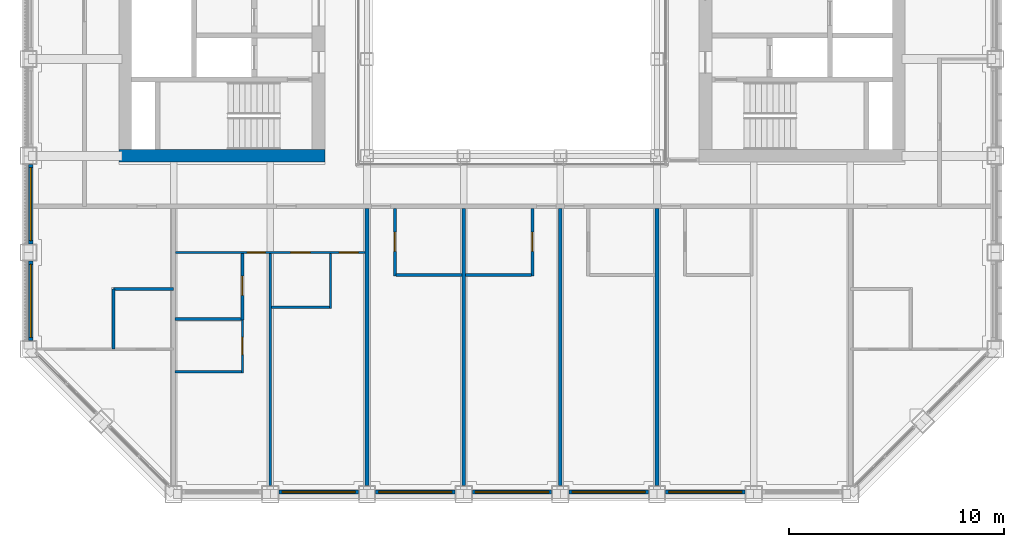
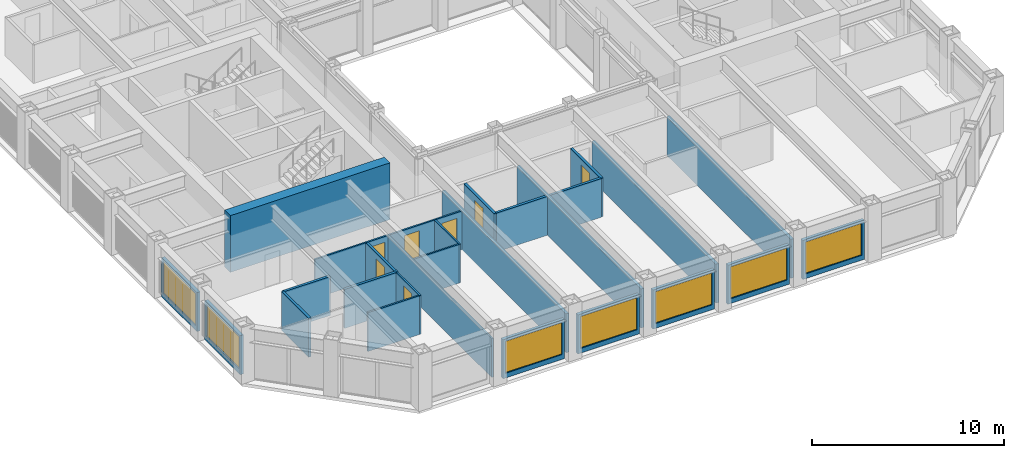
# One storey, part 10 of 18: 26 walls, 7 doors, 7 windows, 14 openings.
"""IFC4 building model written with IfcOpenShell, lengths in metres."""

from ifc_helpers import new_model, si_unit, direction, frame, frame_2d, origin, place, context, subcontext, project, spatial, rectangle, extrude, material, layer, layer_set, type_object, element, fill, save


model = new_model("IFC4")

# Units and contexts
model_context = context("Model", 3, precision=1e-05, world=origin(), true_north=direction((0.0, 1.0)))
body_context = subcontext(model_context, "Body", "Model", "MODEL_VIEW")
ifc_project = project(units=[si_unit("LENGTHUNIT", "METRE"), si_unit("AREAUNIT", "SQUARE_METRE"), si_unit("VOLUMEUNIT", "CUBIC_METRE"), si_unit("PLANEANGLEUNIT", "RADIAN"), si_unit("MASSUNIT", "GRAM", prefix="KILO")], contexts=[model_context])

# Site, building, storey
site_placement = place(None, origin())
site = spatial("IfcSite", under=ifc_project, at=site_placement, CompositionType="ELEMENT")
building_placement = place(site_placement, origin())
building = spatial("IfcBuilding", under=site, at=building_placement, Name="Msasa Ring Tower", CompositionType="ELEMENT")
storey_placement = place(building_placement, frame((0.0, 0.0, 183.199951171875)))
storey = spatial("IfcBuildingStorey", under=building, at=storey_placement, Name="L48", CompositionType="ELEMENT", Elevation=183.199951171875)

# Wall
ifc_material_1 = material(Name="Concrete C60/75", Category="concrete")
ifc_layer_1 = layer(ifc_material_1, 0.60009765625)
ifc_layer_set_1 = layer_set([ifc_layer_1], Name="CW2 CORE WALL 600")
wall_type_1 = type_object("IfcWallType", Name="CW2 CORE WALL 600", PredefinedType="SHEAR", material=ifc_layer_set_1)
wall_1_placement = place(storey_placement, frame((-8.699951171875, -6.75, 0.0), z_axis=(0.0, 0.0, 1.0), x_axis=(-1.0, 0.0, 0.0)))
element("IfcWall", 1, at=wall_1_placement, inside=storey, type_object=wall_type_1, Name="W core wall S L48", PredefinedType="SHEAR", context=body_context, shape_type="SweptSolid", body=[
    extrude(rectangle(XDim=9.60009765625, YDim=0.60009765625, at=frame_2d((4.800048828125, 0.0))), origin(), (0.0, 0.0, 1.0), 3.60009765625),
])

# Wall, opening, window
ifc_material_2 = material(Name="Terracotta rainscreen on blockwork", Category="masonry")
ifc_layer_2 = layer(ifc_material_2, 0.199951171875)
ifc_layer_set_2 = layer_set([ifc_layer_2], Name="FW1 TERRACOTTA-LINED INFILL BAY WALL 200")
wall_type_2 = type_object("IfcWallType", Name="FW1 TERRACOTTA-LINED INFILL BAY WALL 200", PredefinedType="SOLIDWALL", material=ifc_layer_set_2)
wall_2_placement = place(storey_placement, frame((-10.844970703125, -22.39990234375, 0.0), z_axis=(0.0, 0.0, 1.0), x_axis=(1.0, 0.0, 0.0)))
wall_2 = element("IfcWall", 2, at=wall_2_placement, inside=storey, type_object=wall_type_2, Name="Infill bay wall S L48 01", PredefinedType="SOLIDWALL", context=body_context, shape_type="SweptSolid", body=[
    extrude(rectangle(XDim=3.68994140625, YDim=0.199951171875, at=frame_2d((1.844970703125, 0.0))), origin(), (0.0, 0.0, 1.0), 2.47900390625),
])
opening_1_placement = place(wall_2_placement, frame((0.14501953125, 0.0, 0.300048828125)))
opening_1 = element("IfcOpeningElement", 3, at=opening_1_placement, cuts=wall_2, Name="Opening WN2", PredefinedType="OPENING", context=body_context, shape_type="SweptSolid", body=[
    extrude(rectangle(XDim=3.39990234375, YDim=2.029052734375, at=frame_2d((1.699951171875, 1.0146484375))), frame((0.0, 0.10986328125, 0.0), z_axis=(0.0, -1.0, 0.0), x_axis=(1.0, 0.0, 0.0)), (0.0, 0.0, 1.0), 0.219970703125),
])
ifc_material_3 = material(Name="Aluminium frame with clear glass", Category="aluminium")
window_type = type_object("IfcWindowType", Name="WN2 GUEST ROOM WINDOW 3400x2029", PartitioningType="SINGLE_PANEL", PredefinedType="WINDOW", material=ifc_material_3)
window_1_placement = place(opening_1_placement, origin())
window_1 = element("IfcWindow", 4, at=window_1_placement, inside=storey, type_object=window_type, Name="Window S L48 01", OverallHeight=2.029052734375, OverallWidth=3.39990234375, PartitioningType="SINGLE_PANEL", PredefinedType="WINDOW", context=body_context, shape_type="SweptSolid", body=[
    extrude(rectangle(XDim=3.39990234375, YDim=2.029052734375, at=frame_2d((1.699951171875, 1.0146484375))), frame((0.0, 0.030029296875, 0.0), z_axis=(0.0, -1.0, 0.0), x_axis=(1.0, 0.0, 0.0)), (0.0, 0.0, 1.0), 0.06005859375),
])
fill(opening_1, window_1)

wall_3_placement = place(storey_placement, frame((-6.344970703125, -22.39990234375, 0.0), z_axis=(0.0, 0.0, 1.0), x_axis=(1.0, 0.0, 0.0)))
wall_3 = element("IfcWall", 5, at=wall_3_placement, inside=storey, type_object=wall_type_2, Name="Infill bay wall S L48 02", PredefinedType="SOLIDWALL", context=body_context, shape_type="SweptSolid", body=[
    extrude(rectangle(XDim=3.68994140625, YDim=0.199951171875, at=frame_2d((1.844970703125, 0.0))), origin(), (0.0, 0.0, 1.0), 2.47900390625),
])
opening_2_placement = place(wall_3_placement, frame((0.14501953125, 0.0, 0.300048828125)))
opening_2 = element("IfcOpeningElement", 6, at=opening_2_placement, cuts=wall_3, Name="Opening WN2", PredefinedType="OPENING", context=body_context, shape_type="SweptSolid", body=[
    extrude(rectangle(XDim=3.39990234375, YDim=2.029052734375, at=frame_2d((1.699951171875, 1.0146484375))), frame((0.0, 0.10986328125, 0.0), z_axis=(0.0, -1.0, 0.0), x_axis=(1.0, 0.0, 0.0)), (0.0, 0.0, 1.0), 0.219970703125),
])
window_2_placement = place(opening_2_placement, origin())
window_2 = element("IfcWindow", 7, at=window_2_placement, inside=storey, type_object=window_type, Name="Window S L48 02", OverallHeight=2.029052734375, OverallWidth=3.39990234375, PartitioningType="SINGLE_PANEL", PredefinedType="WINDOW", context=body_context, shape_type="SweptSolid", body=[
    extrude(rectangle(XDim=3.39990234375, YDim=2.029052734375, at=frame_2d((1.699951171875, 1.0146484375))), frame((0.0, 0.030029296875, 0.0), z_axis=(0.0, -1.0, 0.0), x_axis=(1.0, 0.0, 0.0)), (0.0, 0.0, 1.0), 0.06005859375),
])
fill(opening_2, window_2)

wall_4_placement = place(storey_placement, frame((-1.844970703125, -22.39990234375, 0.0), z_axis=(0.0, 0.0, 1.0), x_axis=(1.0, 0.0, 0.0)))
wall_4 = element("IfcWall", 8, at=wall_4_placement, inside=storey, type_object=wall_type_2, Name="Infill bay wall S L48 03", PredefinedType="SOLIDWALL", context=body_context, shape_type="SweptSolid", body=[
    extrude(rectangle(XDim=3.68994140625, YDim=0.199951171875, at=frame_2d((1.844970703125, 0.0))), origin(), (0.0, 0.0, 1.0), 2.47900390625),
])
opening_3_placement = place(wall_4_placement, frame((0.14501953125, 0.0, 0.300048828125)))
opening_3 = element("IfcOpeningElement", 9, at=opening_3_placement, cuts=wall_4, Name="Opening WN2", PredefinedType="OPENING", context=body_context, shape_type="SweptSolid", body=[
    extrude(rectangle(XDim=3.39990234375, YDim=2.029052734375, at=frame_2d((1.699951171875, 1.0146484375))), frame((0.0, 0.10986328125, 0.0), z_axis=(0.0, -1.0, 0.0), x_axis=(1.0, 0.0, 0.0)), (0.0, 0.0, 1.0), 0.219970703125),
])
window_3_placement = place(opening_3_placement, origin())
window_3 = element("IfcWindow", 10, at=window_3_placement, inside=storey, type_object=window_type, Name="Window S L48 03", OverallHeight=2.029052734375, OverallWidth=3.39990234375, PartitioningType="SINGLE_PANEL", PredefinedType="WINDOW", context=body_context, shape_type="SweptSolid", body=[
    extrude(rectangle(XDim=3.39990234375, YDim=2.029052734375, at=frame_2d((1.699951171875, 1.0146484375))), frame((0.0, 0.030029296875, 0.0), z_axis=(0.0, -1.0, 0.0), x_axis=(1.0, 0.0, 0.0)), (0.0, 0.0, 1.0), 0.06005859375),
])
fill(opening_3, window_3)

wall_5_placement = place(storey_placement, frame((2.655029296875, -22.39990234375, 0.0), z_axis=(0.0, 0.0, 1.0), x_axis=(1.0, 0.0, 0.0)))
wall_5 = element("IfcWall", 11, at=wall_5_placement, inside=storey, type_object=wall_type_2, Name="Infill bay wall S L48 04", PredefinedType="SOLIDWALL", context=body_context, shape_type="SweptSolid", body=[
    extrude(rectangle(XDim=3.68994140625, YDim=0.199951171875, at=frame_2d((1.844970703125, 0.0))), origin(), (0.0, 0.0, 1.0), 2.47900390625),
])
opening_4_placement = place(wall_5_placement, frame((0.14501953125, 0.0, 0.300048828125)))
opening_4 = element("IfcOpeningElement", 12, at=opening_4_placement, cuts=wall_5, Name="Opening WN2", PredefinedType="OPENING", context=body_context, shape_type="SweptSolid", body=[
    extrude(rectangle(XDim=3.39990234375, YDim=2.029052734375, at=frame_2d((1.699951171875, 1.0146484375))), frame((0.0, 0.10986328125, 0.0), z_axis=(0.0, -1.0, 0.0), x_axis=(1.0, 0.0, 0.0)), (0.0, 0.0, 1.0), 0.219970703125),
])
window_4_placement = place(opening_4_placement, origin())
window_4 = element("IfcWindow", 13, at=window_4_placement, inside=storey, type_object=window_type, Name="Window S L48 04", OverallHeight=2.029052734375, OverallWidth=3.39990234375, PartitioningType="SINGLE_PANEL", PredefinedType="WINDOW", context=body_context, shape_type="SweptSolid", body=[
    extrude(rectangle(XDim=3.39990234375, YDim=2.029052734375, at=frame_2d((1.699951171875, 1.0146484375))), frame((0.0, 0.030029296875, 0.0), z_axis=(0.0, -1.0, 0.0), x_axis=(1.0, 0.0, 0.0)), (0.0, 0.0, 1.0), 0.06005859375),
])
fill(opening_4, window_4)

wall_6_placement = place(storey_placement, frame((7.155029296875, -22.39990234375, 0.0), z_axis=(0.0, 0.0, 1.0), x_axis=(1.0, 0.0, 0.0)))
wall_6 = element("IfcWall", 14, at=wall_6_placement, inside=storey, type_object=wall_type_2, Name="Infill bay wall S L48 05", PredefinedType="SOLIDWALL", context=body_context, shape_type="SweptSolid", body=[
    extrude(rectangle(XDim=3.68994140625, YDim=0.199951171875, at=frame_2d((1.844970703125, 0.0))), origin(), (0.0, 0.0, 1.0), 2.47900390625),
])
opening_5_placement = place(wall_6_placement, frame((0.14501953125, 0.0, 0.300048828125)))
opening_5 = element("IfcOpeningElement", 15, at=opening_5_placement, cuts=wall_6, Name="Opening WN2", PredefinedType="OPENING", context=body_context, shape_type="SweptSolid", body=[
    extrude(rectangle(XDim=3.39990234375, YDim=2.029052734375, at=frame_2d((1.699951171875, 1.0146484375))), frame((0.0, 0.10986328125, 0.0), z_axis=(0.0, -1.0, 0.0), x_axis=(1.0, 0.0, 0.0)), (0.0, 0.0, 1.0), 0.219970703125),
])
window_5_placement = place(opening_5_placement, origin())
window_5 = element("IfcWindow", 16, at=window_5_placement, inside=storey, type_object=window_type, Name="Window S L48 05", OverallHeight=2.029052734375, OverallWidth=3.39990234375, PartitioningType="SINGLE_PANEL", PredefinedType="WINDOW", context=body_context, shape_type="SweptSolid", body=[
    extrude(rectangle(XDim=3.39990234375, YDim=2.029052734375, at=frame_2d((1.699951171875, 1.0146484375))), frame((0.0, 0.030029296875, 0.0), z_axis=(0.0, -1.0, 0.0), x_axis=(1.0, 0.0, 0.0)), (0.0, 0.0, 1.0), 0.06005859375),
])
fill(opening_5, window_5)

wall_7_placement = place(storey_placement, frame((-22.39990234375, -15.344970703125, 0.0), z_axis=(0.0, 0.0, 1.0), x_axis=(0.0, 1.0, 0.0)))
wall_7 = element("IfcWall", 17, at=wall_7_placement, inside=storey, type_object=wall_type_2, Name="Infill bay wall W L48 27", PredefinedType="SOLIDWALL", context=body_context, shape_type="SweptSolid", body=[
    extrude(rectangle(XDim=3.68994140625, YDim=0.199951171875, at=frame_2d((1.844970703125, 0.0))), origin(), (0.0, 0.0, 1.0), 2.47900390625),
])
opening_6_placement = place(wall_7_placement, frame((0.14501953125, 0.0, 0.300048828125)))
opening_6 = element("IfcOpeningElement", 18, at=opening_6_placement, cuts=wall_7, Name="Opening WN2", PredefinedType="OPENING", context=body_context, shape_type="SweptSolid", body=[
    extrude(rectangle(XDim=3.39990234375, YDim=2.029052734375, at=frame_2d((1.699951171875, 1.0146484375))), frame((0.0, 0.10986328125, 0.0), z_axis=(0.0, -1.0, 0.0), x_axis=(1.0, 0.0, 0.0)), (0.0, 0.0, 1.0), 0.219970703125),
])
window_6_placement = place(opening_6_placement, origin())
window_6 = element("IfcWindow", 19, at=window_6_placement, inside=storey, type_object=window_type, Name="Window W L48 27", OverallHeight=2.029052734375, OverallWidth=3.39990234375, PartitioningType="SINGLE_PANEL", PredefinedType="WINDOW", context=body_context, shape_type="SweptSolid", body=[
    extrude(rectangle(XDim=3.39990234375, YDim=2.029052734375, at=frame_2d((1.699951171875, 1.0146484375))), frame((0.0, 0.030029296875, 0.0), z_axis=(0.0, -1.0, 0.0), x_axis=(1.0, 0.0, 0.0)), (0.0, 0.0, 1.0), 0.06005859375),
])
fill(opening_6, window_6)

wall_8_placement = place(storey_placement, frame((-22.39990234375, -10.844970703125, 0.0), z_axis=(0.0, 0.0, 1.0), x_axis=(0.0, 1.0, 0.0)))
wall_8 = element("IfcWall", 20, at=wall_8_placement, inside=storey, type_object=wall_type_2, Name="Infill bay wall W L48 28", PredefinedType="SOLIDWALL", context=body_context, shape_type="SweptSolid", body=[
    extrude(rectangle(XDim=3.68994140625, YDim=0.199951171875, at=frame_2d((1.844970703125, 0.0))), origin(), (0.0, 0.0, 1.0), 2.47900390625),
])
opening_7_placement = place(wall_8_placement, frame((0.14501953125, 0.0, 0.300048828125)))
opening_7 = element("IfcOpeningElement", 21, at=opening_7_placement, cuts=wall_8, Name="Opening WN2", PredefinedType="OPENING", context=body_context, shape_type="SweptSolid", body=[
    extrude(rectangle(XDim=3.39990234375, YDim=2.029052734375, at=frame_2d((1.699951171875, 1.0146484375))), frame((0.0, 0.10986328125, 0.0), z_axis=(0.0, -1.0, 0.0), x_axis=(1.0, 0.0, 0.0)), (0.0, 0.0, 1.0), 0.219970703125),
])
window_7_placement = place(opening_7_placement, origin())
window_7 = element("IfcWindow", 22, at=window_7_placement, inside=storey, type_object=window_type, Name="Window W L48 28", OverallHeight=2.029052734375, OverallWidth=3.39990234375, PartitioningType="SINGLE_PANEL", PredefinedType="WINDOW", context=body_context, shape_type="SweptSolid", body=[
    extrude(rectangle(XDim=3.39990234375, YDim=2.029052734375, at=frame_2d((1.699951171875, 1.0146484375))), frame((0.0, 0.030029296875, 0.0), z_axis=(0.0, -1.0, 0.0), x_axis=(1.0, 0.0, 0.0)), (0.0, 0.0, 1.0), 0.06005859375),
])
fill(opening_7, window_7)

# Wall, openings, doors
ifc_material_4 = material(Name="Gypsum board on steel studs", Category="steel")
ifc_layer_3 = layer(ifc_material_4, 0.10009765625)
ifc_layer_set_3 = layer_set([ifc_layer_3], Name="PT2 STUD PARTITION 100")
wall_type_3 = type_object("IfcWallType", Name="PT2 STUD PARTITION 100", PredefinedType="PARTITIONING", material=ifc_layer_set_3)
wall_9_placement = place(storey_placement, frame((-15.66259765625, -11.25, 0.0), z_axis=(0.0, 0.0, 1.0), x_axis=(1.0, 0.0, 0.0)))
wall_9 = element("IfcWall", 23, at=wall_9_placement, inside=storey, type_object=wall_type_3, Name="Partition L48-GS00HY", PredefinedType="PARTITIONING", context=body_context, shape_type="SweptSolid", body=[
    extrude(rectangle(XDim=8.8251953125, YDim=0.10009765625, at=frame_2d((4.41259765625, 0.0))), origin(), (0.0, 0.0, 1.0), 2.473388671875),
])
opening_8_placement = place(wall_9_placement, frame((5.362548828125, 0.0, 0.0)))
opening_8 = element("IfcOpeningElement", 24, at=opening_8_placement, cuts=wall_9, Name="Opening HG-052", PredefinedType="OPENING", context=body_context, shape_type="SweptSolid", body=[
    extrude(rectangle(XDim=0.89990234375, YDim=2.10009765625, at=frame_2d((0.449951171875, 1.050048828125))), frame((0.0, 0.06005859375, 0.0), z_axis=(0.0, -1.0, 0.0), x_axis=(1.0, 0.0, 0.0)), (0.0, 0.0, 1.0), 0.1201171875),
])
opening_9_placement = place(wall_9_placement, frame((7.612548828125, 0.0, 0.0)))
opening_9 = element("IfcOpeningElement", 25, at=opening_9_placement, cuts=wall_9, Name="Opening HG-053", PredefinedType="OPENING", context=body_context, shape_type="SweptSolid", body=[
    extrude(rectangle(XDim=0.89990234375, YDim=2.10009765625, at=frame_2d((0.449951171875, 1.050048828125))), frame((0.0, 0.06005859375, 0.0), z_axis=(0.0, -1.0, 0.0), x_axis=(1.0, 0.0, 0.0)), (0.0, 0.0, 1.0), 0.1201171875),
])
opening_10_placement = place(wall_9_placement, frame((3.33740234375, 0.0, 0.0)))
opening_10 = element("IfcOpeningElement", 26, at=opening_10_placement, cuts=wall_9, Name="Opening HG-051", PredefinedType="OPENING", context=body_context, shape_type="SweptSolid", body=[
    extrude(rectangle(XDim=0.85009765625, YDim=2.10009765625, at=frame_2d((0.425048828125, 1.050048828125))), frame((0.0, 0.06005859375, 0.0), z_axis=(0.0, -1.0, 0.0), x_axis=(1.0, 0.0, 0.0)), (0.0, 0.0, 1.0), 0.1201171875),
])
ifc_material_5 = material(Name="Timber door leaf in a steel frame", Category="steel")
door_type_1 = type_object("IfcDoorType", Name="D14 BEDROOM DOOR 850x2100", OperationType="SINGLE_SWING_LEFT", PredefinedType="DOOR", material=ifc_material_5)
door_1_placement = place(opening_10_placement, origin())
door_1 = element("IfcDoor", 27, at=door_1_placement, inside=storey, type_object=door_type_1, Name="Door L48-GS00R1", OperationType="SINGLE_SWING_LEFT", OverallHeight=2.10009765625, OverallWidth=0.85009765625, PredefinedType="DOOR", context=body_context, shape_type="SweptSolid", body=[
    extrude(rectangle(XDim=0.85009765625, YDim=2.10009765625, at=frame_2d((0.425048828125, 1.050048828125))), frame((0.0, 0.02490234375, 0.0), z_axis=(0.0, -1.0, 0.0), x_axis=(1.0, 0.0, 0.0)), (0.0, 0.0, 1.0), 0.050048828125),
])
fill(opening_10, door_1)
ifc_material_6 = material(Name="Timber door leaf in a steel frame", Category="steel")
door_type_2 = type_object("IfcDoorType", Name="D22 INTERNAL HALL DOOR 900x2100", OperationType="SINGLE_SWING_LEFT", PredefinedType="DOOR", material=ifc_material_6)
door_2_placement = place(opening_8_placement, origin())
door_2 = element("IfcDoor", 28, at=door_2_placement, inside=storey, type_object=door_type_2, Name="Door L48-GS00K", OperationType="SINGLE_SWING_RIGHT", OverallHeight=2.10009765625, OverallWidth=0.89990234375, PredefinedType="DOOR", context=body_context, shape_type="SweptSolid", body=[
    extrude(rectangle(XDim=0.89990234375, YDim=2.10009765625, at=frame_2d((0.449951171875, 1.050048828125))), frame((0.0, 0.02490234375, 0.0), z_axis=(0.0, -1.0, 0.0), x_axis=(1.0, 0.0, 0.0)), (0.0, 0.0, 1.0), 0.050048828125),
])
fill(opening_8, door_2)
door_3_placement = place(opening_9_placement, origin())
door_3 = element("IfcDoor", 29, at=door_3_placement, inside=storey, type_object=door_type_2, Name="Door L48-GS00L", OperationType="SINGLE_SWING_RIGHT", OverallHeight=2.10009765625, OverallWidth=0.89990234375, PredefinedType="DOOR", context=body_context, shape_type="SweptSolid", body=[
    extrude(rectangle(XDim=0.89990234375, YDim=2.10009765625, at=frame_2d((0.449951171875, 1.050048828125))), frame((0.0, 0.02490234375, 0.0), z_axis=(0.0, -1.0, 0.0), x_axis=(1.0, 0.0, 0.0)), (0.0, 0.0, 1.0), 0.050048828125),
])
fill(opening_9, door_3)

# Walls
wall_10_placement = place(storey_placement, frame((-8.449951171875, -13.85009765625, 0.0), z_axis=(0.0, 0.0, 1.0), x_axis=(0.0, 1.0, 0.0)))
element("IfcWall", 30, at=wall_10_placement, inside=storey, type_object=wall_type_3, Name="Partition L48-GS00KX", PredefinedType="PARTITIONING", context=body_context, shape_type="SweptSolid", body=[
    extrude(rectangle(XDim=2.550048828125, YDim=0.10009765625, at=frame_2d((1.27490234375, 0.0))), origin(), (0.0, 0.0, 1.0), 2.473388671875),
])
wall_11_placement = place(storey_placement, frame((-11.199951171875, -13.800048828125, 0.0), z_axis=(0.0, 0.0, 1.0), x_axis=(1.0, 0.0, 0.0)))
element("IfcWall", 31, at=wall_11_placement, inside=storey, type_object=wall_type_3, Name="Partition L48-GS00KY", PredefinedType="PARTITIONING", context=body_context, shape_type="SweptSolid", body=[
    extrude(rectangle(XDim=2.75, YDim=0.10009765625, at=frame_2d((1.375, 0.0))), origin(), (0.0, 0.0, 1.0), 2.473388671875),
])
wall_12_placement = place(storey_placement, frame((-11.25, -22.10009765625, 0.0), z_axis=(0.0, 0.0, 1.0), x_axis=(0.0, 1.0, 0.0)))
element("IfcWall", 32, at=wall_12_placement, inside=storey, type_object=wall_type_3, Name="Partition L48-GS00P1", PredefinedType="PARTITIONING", context=body_context, shape_type="SweptSolid", body=[
    extrude(rectangle(XDim=10.800048828125, YDim=0.10009765625, at=frame_2d((5.39990234375, 0.0))), origin(), (0.0, 0.0, 1.0), 2.473388671875),
])

# Wall, opening, door
wall_13_placement = place(storey_placement, frame((-12.550048828125, -16.85009765625, 0.0), z_axis=(0.0, 0.0, 1.0), x_axis=(0.0, 1.0, 0.0)))
wall_13 = element("IfcWall", 33, at=wall_13_placement, inside=storey, type_object=wall_type_3, Name="Partition L48-GS00WX1", PredefinedType="PARTITIONING", context=body_context, shape_type="SweptSolid", body=[
    extrude(rectangle(XDim=2.4501953125, YDim=0.10009765625, at=frame_2d((1.22509765625, 0.0))), origin(), (0.0, 0.0, 1.0), 2.473388671875),
])
opening_11_placement = place(wall_13_placement, frame((0.85009765625, 0.0, 0.0)))
opening_11 = element("IfcOpeningElement", 34, at=opening_11_placement, cuts=wall_13, Name="Opening HG-055", PredefinedType="OPENING", context=body_context, shape_type="SweptSolid", body=[
    extrude(rectangle(XDim=0.800048828125, YDim=2.10009765625, at=frame_2d((0.39990234375, 1.050048828125))), frame((0.0, 0.06005859375, 0.0), z_axis=(0.0, -1.0, 0.0), x_axis=(1.0, 0.0, 0.0)), (0.0, 0.0, 1.0), 0.1201171875),
])
ifc_material_7 = material(Name="Timber door leaf in a steel frame", Category="steel")
door_type_3 = type_object("IfcDoorType", Name="D60 DRESSING ROOM DOOR 800x2100", OperationType="SINGLE_SWING_LEFT", PredefinedType="DOOR", material=ifc_material_7)
door_4_placement = place(opening_11_placement, origin())
door_4 = element("IfcDoor", 35, at=door_4_placement, inside=storey, type_object=door_type_3, Name="Door L48-GS00W1", OperationType="SINGLE_SWING_LEFT", OverallHeight=2.10009765625, OverallWidth=0.800048828125, PredefinedType="DOOR", context=body_context, shape_type="SweptSolid", body=[
    extrude(rectangle(XDim=0.800048828125, YDim=2.10009765625, at=frame_2d((0.39990234375, 1.050048828125))), frame((0.0, 0.02490234375, 0.0), z_axis=(0.0, -1.0, 0.0), x_axis=(1.0, 0.0, 0.0)), (0.0, 0.0, 1.0), 0.050048828125),
])
fill(opening_11, door_4)

# Wall
wall_14_placement = place(storey_placement, frame((-15.68994140625, -16.800048828125, 0.0), z_axis=(0.0, 0.0, 1.0), x_axis=(1.0, 0.0, 0.0)))
element("IfcWall", 36, at=wall_14_placement, inside=storey, type_object=wall_type_3, Name="Partition L48-GS00WY1", PredefinedType="PARTITIONING", context=body_context, shape_type="SweptSolid", body=[
    extrude(rectangle(XDim=3.139892578125, YDim=0.10009765625, at=frame_2d((1.56982421875, 0.0))), origin(), (0.0, 0.0, 1.0), 2.473388671875),
])

# Wall, opening, door
ifc_material_8 = material(Name="Moisture-resistant board on steel studs with a concealed cistern and pipe void, tiled", Category="steel")
ifc_layer_4 = layer(ifc_material_8, 0.14990234375)
ifc_layer_set_4 = layer_set([ifc_layer_4], Name="PT4 BATHROOM WET WALL 150")
wall_type_4 = type_object("IfcWallType", Name="PT4 BATHROOM WET WALL 150", PredefinedType="PARTITIONING", material=ifc_layer_set_4)
wall_15_placement = place(storey_placement, frame((-12.550048828125, -14.39990234375, 0.0), z_axis=(0.0, 0.0, 1.0), x_axis=(0.0, 1.0, 0.0)))
wall_15 = element("IfcWall", 37, at=wall_15_placement, inside=storey, type_object=wall_type_4, Name="Partition L48-GS00BX1", PredefinedType="PARTITIONING", context=body_context, shape_type="SweptSolid", body=[
    extrude(rectangle(XDim=3.099853515625, YDim=0.14990234375, at=frame_2d((1.5498046875, 0.0))), origin(), (0.0, 0.0, 1.0), 2.473388671875),
])
opening_12_placement = place(wall_15_placement, frame((1.14990234375, 0.0, 0.0)))
opening_12 = element("IfcOpeningElement", 38, at=opening_12_placement, cuts=wall_15, Name="Opening HG-054", PredefinedType="OPENING", context=body_context, shape_type="SweptSolid", body=[
    extrude(rectangle(XDim=0.89990234375, YDim=2.10009765625, at=frame_2d((0.449951171875, 1.050048828125))), frame((0.0, 0.0849609375, 0.0), z_axis=(0.0, -1.0, 0.0), x_axis=(1.0, 0.0, 0.0)), (0.0, 0.0, 1.0), 0.169921875),
])
ifc_material_9 = material(Name="Timber door leaf in a steel frame", Category="steel")
door_type_4 = type_object("IfcDoorType", Name="D3 BATHROOM DOOR 900x2100", OperationType="SINGLE_SWING_LEFT", PredefinedType="DOOR", material=ifc_material_9)
door_5_placement = place(opening_12_placement, origin())
door_5 = element("IfcDoor", 39, at=door_5_placement, inside=storey, type_object=door_type_4, Name="Door L48-GS00B1", OperationType="SINGLE_SWING_RIGHT", OverallHeight=2.10009765625, OverallWidth=0.89990234375, PredefinedType="DOOR", context=body_context, shape_type="SweptSolid", body=[
    extrude(rectangle(XDim=0.89990234375, YDim=2.10009765625, at=frame_2d((0.449951171875, 1.050048828125))), frame((0.0, 0.02490234375, 0.0), z_axis=(0.0, -1.0, 0.0), x_axis=(1.0, 0.0, 0.0)), (0.0, 0.0, 1.0), 0.050048828125),
])
fill(opening_12, door_5)

# Wall
wall_16_placement = place(storey_placement, frame((-15.68994140625, -14.35009765625, 0.0), z_axis=(0.0, 0.0, 1.0), x_axis=(1.0, 0.0, 0.0)))
element("IfcWall", 40, at=wall_16_placement, inside=storey, type_object=wall_type_4, Name="Partition L48-GS00BY1", PredefinedType="PARTITIONING", context=body_context, shape_type="SweptSolid", body=[
    extrude(rectangle(XDim=3.139892578125, YDim=0.14990234375, at=frame_2d((1.56982421875, 0.0))), origin(), (0.0, 0.0, 1.0), 2.473388671875),
])

# Wall, opening, door
wall_17_placement = place(storey_placement, frame((-5.449951171875, -12.35009765625, 0.0), z_axis=(0.0, 0.0, 1.0), x_axis=(0.0, 1.0, 0.0)))
wall_17 = element("IfcWall", 41, at=wall_17_placement, inside=storey, type_object=wall_type_4, Name="Partition L48-GS01BX", PredefinedType="PARTITIONING", context=body_context, shape_type="SweptSolid", body=[
    extrude(rectangle(XDim=3.150146484375, YDim=0.14990234375, at=frame_2d((1.5751953125, 0.0))), origin(), (0.0, 0.0, 1.0), 2.473388671875),
])
opening_13_placement = place(wall_17_placement, frame((1.14990234375, 0.0, 0.0)))
opening_13 = element("IfcOpeningElement", 42, at=opening_13_placement, cuts=wall_17, Name="Opening HG-047", PredefinedType="OPENING", context=body_context, shape_type="SweptSolid", body=[
    extrude(rectangle(XDim=0.89990234375, YDim=2.10009765625, at=frame_2d((0.449951171875, 1.050048828125))), frame((0.0, 0.0849609375, 0.0), z_axis=(0.0, -1.0, 0.0), x_axis=(1.0, 0.0, 0.0)), (0.0, 0.0, 1.0), 0.169921875),
])
door_6_placement = place(opening_13_placement, origin())
door_6 = element("IfcDoor", 43, at=door_6_placement, inside=storey, type_object=door_type_4, Name="Door L48-GS01B", OperationType="SINGLE_SWING_LEFT", OverallHeight=2.10009765625, OverallWidth=0.89990234375, PredefinedType="DOOR", context=body_context, shape_type="SweptSolid", body=[
    extrude(rectangle(XDim=0.89990234375, YDim=2.10009765625, at=frame_2d((0.449951171875, 1.050048828125))), frame((0.0, 0.02490234375, 0.0), z_axis=(0.0, -1.0, 0.0), x_axis=(1.0, 0.0, 0.0)), (0.0, 0.0, 1.0), 0.050048828125),
])
fill(opening_13, door_6)

# Wall
wall_18_placement = place(storey_placement, frame((-5.39990234375, -12.300048828125, 0.0), z_axis=(0.0, 0.0, 1.0), x_axis=(1.0, 0.0, 0.0)))
element("IfcWall", 44, at=wall_18_placement, inside=storey, type_object=wall_type_4, Name="Partition L48-GS01BY", PredefinedType="PARTITIONING", context=body_context, shape_type="SweptSolid", body=[
    extrude(rectangle(XDim=3.0625, YDim=0.14990234375, at=frame_2d((1.53125, 0.0))), origin(), (0.0, 0.0, 1.0), 2.473388671875),
])

# Wall, opening, door
wall_19_placement = place(storey_placement, frame((0.949951171875, -12.35009765625, 0.0), z_axis=(0.0, 0.0, 1.0), x_axis=(0.0, 1.0, 0.0)))
wall_19 = element("IfcWall", 45, at=wall_19_placement, inside=storey, type_object=wall_type_4, Name="Partition L48-GS02BX", PredefinedType="PARTITIONING", context=body_context, shape_type="SweptSolid", body=[
    extrude(rectangle(XDim=3.150146484375, YDim=0.14990234375, at=frame_2d((1.5751953125, 0.0))), origin(), (0.0, 0.0, 1.0), 2.473388671875),
])
opening_14_placement = place(wall_19_placement, frame((1.14990234375, 0.0, 0.0)))
opening_14 = element("IfcOpeningElement", 46, at=opening_14_placement, cuts=wall_19, Name="Opening HG-048", PredefinedType="OPENING", context=body_context, shape_type="SweptSolid", body=[
    extrude(rectangle(XDim=0.89990234375, YDim=2.10009765625, at=frame_2d((0.449951171875, 1.050048828125))), frame((0.0, 0.0849609375, 0.0), z_axis=(0.0, -1.0, 0.0), x_axis=(1.0, 0.0, 0.0)), (0.0, 0.0, 1.0), 0.169921875),
])
door_7_placement = place(opening_14_placement, origin())
door_7 = element("IfcDoor", 47, at=door_7_placement, inside=storey, type_object=door_type_4, Name="Door L48-GS02B", OperationType="SINGLE_SWING_LEFT", OverallHeight=2.10009765625, OverallWidth=0.89990234375, PredefinedType="DOOR", context=body_context, shape_type="SweptSolid", body=[
    extrude(rectangle(XDim=0.89990234375, YDim=2.10009765625, at=frame_2d((0.449951171875, 1.050048828125))), frame((0.0, 0.02490234375, 0.0), z_axis=(0.0, -1.0, 0.0), x_axis=(1.0, 0.0, 0.0)), (0.0, 0.0, 1.0), 0.050048828125),
])
fill(opening_14, door_7)

# Walls
wall_20_placement = place(storey_placement, frame((-2.16259765625, -12.300048828125, 0.0), z_axis=(0.0, 0.0, 1.0), x_axis=(1.0, 0.0, 0.0)))
element("IfcWall", 48, at=wall_20_placement, inside=storey, type_object=wall_type_4, Name="Partition L48-GS02BY", PredefinedType="PARTITIONING", context=body_context, shape_type="SweptSolid", body=[
    extrude(rectangle(XDim=3.0625, YDim=0.14990234375, at=frame_2d((1.53125, 0.0))), origin(), (0.0, 0.0, 1.0), 2.473388671875),
])
for number, where, z_axis, x_axis, name in (
    (49, (-18.550048828125, -15.75, 0.0), (0.0, 0.0, 1.0), (0.0, 1.0, 0.0), "Partition L48-CSSWBX"),
    (50, (-18.550048828125, -12.949951171875, 0.0), (0.0, 0.0, 1.0), (1.0, 0.0, 0.0), "Partition L48-CSSWBY"),
):
    element("IfcWall", number, at=place(storey_placement, frame(where, z_axis=z_axis, x_axis=x_axis)), inside=storey, type_object=wall_type_4, Name=name, PredefinedType="PARTITIONING", context=body_context, shape_type="SweptSolid", body=[
        extrude(rectangle(XDim=2.800048828125, YDim=0.14990234375, at=frame_2d((1.39990234375, 0.0))), origin(), (0.0, 0.0, 1.0), 2.473388671875),
    ])
ifc_material_10 = material(Name="Twin steel studs, two layers of acoustic board each face, mineral wool", Category="steel")
ifc_layer_5 = layer(ifc_material_10, 0.175048828125)
ifc_layer_set_5 = layer_set([ifc_layer_5], Name="PT5 GUEST ROOM SEPARATING WALL 175")
wall_type_5 = type_object("IfcWallType", Name="PT5 GUEST ROOM SEPARATING WALL 175", PredefinedType="PARTITIONING", material=ifc_layer_set_5)
for number, where, z_axis, x_axis, name in (
    (51, (-6.75, -22.10009765625, 0.0), (0.0, 0.0, 1.0), (0.0, 1.0, 0.0), "Partition L48-PWS-6.75"),
    (52, (-2.25, -22.10009765625, 0.0), (0.0, 0.0, 1.0), (0.0, 1.0, 0.0), "Partition L48-PWS-2.25"),
    (53, (2.25, -22.10009765625, 0.0), (0.0, 0.0, 1.0), (0.0, 1.0, 0.0), "Partition L48-PWS+2.25"),
    (54, (6.75, -22.10009765625, 0.0), (0.0, 0.0, 1.0), (0.0, 1.0, 0.0), "Partition L48-PWS+6.75"),
):
    element("IfcWall", number, at=place(storey_placement, frame(where, z_axis=z_axis, x_axis=x_axis)), inside=storey, type_object=wall_type_5, Name=name, PredefinedType="PARTITIONING", context=body_context, shape_type="SweptSolid", body=[
        extrude(rectangle(XDim=12.900146484375, YDim=0.175048828125, at=frame_2d((6.4501953125, 0.0))), origin(), (0.0, 0.0, 1.0), 2.473388671875),
    ])

save(model, "model.ifc")
